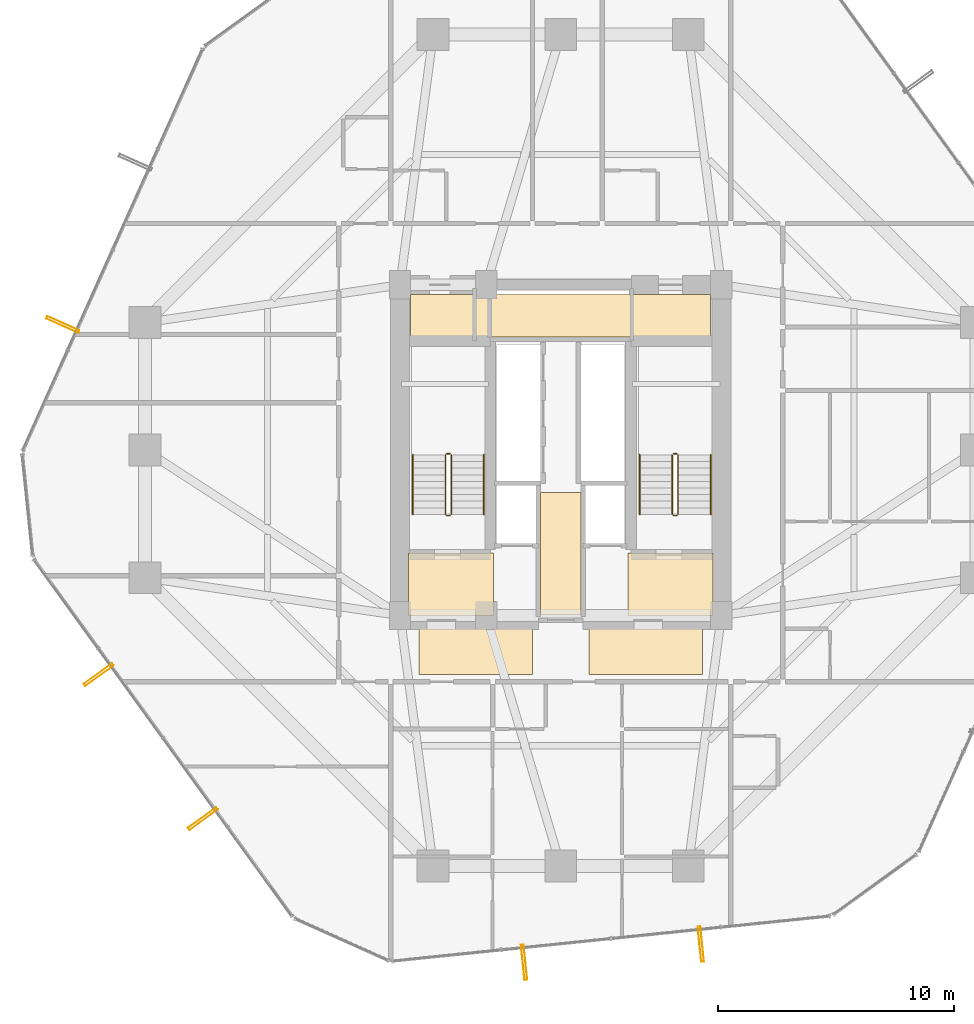
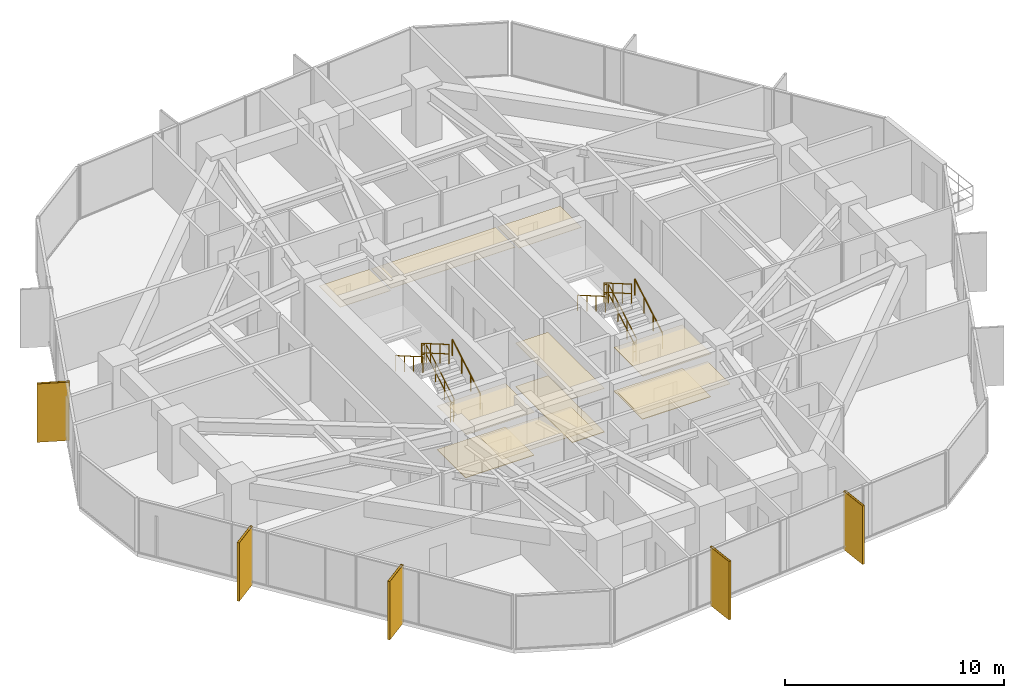
# One storey, part 36 of 37: 12 railings, 11 coverings, 5 shading devices.
"""IFC4 building model written with IfcOpenShell, lengths in metres."""

from ifc_helpers import new_model, si_unit, direction, frame, origin, origin_2d, place, context, subcontext, project, spatial, polyline, hollow_rectangle, circle, outline, extrude, material, layer, layer_set, material_profile, profile_set, type_object, element, save


model = new_model("IFC4")

# Units and contexts
model_context = context("Model", 3, precision=1e-05, world=origin(), true_north=direction((0.0, 1.0)))
body_context = subcontext(model_context, "Body", "Model", "MODEL_VIEW")
ifc_project = project(units=[si_unit("LENGTHUNIT", "METRE"), si_unit("AREAUNIT", "SQUARE_METRE"), si_unit("VOLUMEUNIT", "CUBIC_METRE"), si_unit("PLANEANGLEUNIT", "RADIAN"), si_unit("MASSUNIT", "GRAM", prefix="KILO")], contexts=[model_context])

# Site, building, storey
site_placement = place(None, origin())
site = spatial("IfcSite", under=ifc_project, at=site_placement, CompositionType="ELEMENT")
building_placement = place(site_placement, origin())
building = spatial("IfcBuilding", under=site, at=building_placement, Name="Veraguas Prism Commons", CompositionType="ELEMENT")
storey_placement = place(building_placement, frame((0.0, 0.0, 43.550048828125)))
storey = spatial("IfcBuildingStorey", under=building, at=storey_placement, Name="L11", CompositionType="ELEMENT", Elevation=43.550048828125)

# Shading devices
ifc_material_1 = material(Name="Anodised aluminium EN AW-6063 T6", Category="aluminium")
ifc_material_profile = material_profile(ifc_material_1, hollow_rectangle(XDim=0.1201171875, YDim=1.489990234375, WallThickness=0.006103515625, at=origin_2d()), Name="FIN120X1490X6")
ifc_profile_set = profile_set([ifc_material_profile], Name="Anodised aluminium EN AW-6063 T6")
shading_device_type = type_object("IfcShadingDeviceType", Name="Deep Pale-Metal Vertical Solar Fin 120x1490", PredefinedType="USERDEFINED", material=ifc_profile_set)
for number, where, z_axis, x_axis, name in (
    (1, (2.9228515625, 29.316650390625, -0.22998046875), (0.0, 0.0, 1.0), (-0.408645888839, -0.912693013852, 0.0), "Vertical Pale-Metal Solar Fin L11-F3B"),
    (2, (4.44873046875, 14.499267578125, -0.22998046875), (0.0, 0.0, 1.0), (0.586089563144, -0.810246273656, 0.0), "Vertical Pale-Metal Solar Fin L11-F4A"),
    (3, (8.857177734375, 8.40478515625, -0.22998046875), (0.0, 0.0, 1.0), (0.586089563144, -0.810246273656, 0.0), "Vertical Pale-Metal Solar Fin L11-F4B"),
    (4, (22.452392578125, 2.31787109375, -0.22998046875), (0.0, 0.0, 1.0), (0.994738995475, 0.102441841454, 0.0), "Vertical Pale-Metal Solar Fin L11-F5A"),
    (5, (29.934326171875, 3.08837890625, -0.22998046875), (0.0, 0.0, 1.0), (0.994738995475, 0.102441841454, 0.0), "Vertical Pale-Metal Solar Fin L11-F5B"),
):
    element("IfcShadingDevice", number, at=place(storey_placement, frame(where, z_axis=z_axis, x_axis=x_axis)), inside=storey, type_object=shading_device_type, Name=name, ObjectType="FIN", PredefinedType="USERDEFINED", context=body_context, shape_type="SweptSolid", body=[
        extrude(hollow_rectangle(XDim=0.1201171875, YDim=1.489990234375, WallThickness=0.006103515625, at=origin_2d()), origin(), (0.0, 0.0, 1.0), 3.25),
    ])

# Coverings
ifc_material_2 = material(Name="Acoustic gypsum board")
ifc_layer_1 = layer(ifc_material_2, 0.02490234375, Name="Perforated Acoustic Ceiling Tile 25")
ifc_layer_set_1 = layer_set([ifc_layer_1], Name="Acoustic gypsum board")
covering_type_1 = type_object("IfcCoveringType", Name="Perforated Acoustic Ceiling Tile 25", PredefinedType="USERDEFINED", material=ifc_layer_set_1)
covering_1_placement = place(storey_placement, frame((0.0, 0.0, 2.425048828125)))
element("IfcCovering", 6, at=covering_1_placement, inside=storey, type_object=covering_type_1, Name="East Lobby Acoustic Ceiling L11", ObjectType="ACOUSTIC CEILING", PredefinedType="USERDEFINED", context=body_context, shape_type="SweptSolid", body=[
    extrude(outline(polyline([(26.85009765625, 17.0), (30.449951171875, 17.0), (30.449951171875, 19.64990234375), (26.85009765625, 19.64990234375), (26.85009765625, 17.0)])), origin(), (0.0, 0.0, 1.0), 0.02490234375),
])
ifc_material_3 = material(Name="Terrazzo stone finish", Category="masonry")
ifc_layer_2 = layer(ifc_material_3, 0.030029296875, Name="Polished Terrazzo Floor Finish 30", Category="masonry")
ifc_layer_set_2 = layer_set([ifc_layer_2], Name="Terrazzo stone finish")
covering_type_2 = type_object("IfcCoveringType", Name="Polished Terrazzo Floor Finish 30", PredefinedType="FLOORING", material=ifc_layer_set_2)
covering_2_placement = place(storey_placement, origin())
element("IfcCovering", 7, at=covering_2_placement, inside=storey, type_object=covering_type_2, Name="Terrazzo Lobby Flooring L11", PredefinedType="FLOORING", context=body_context, shape_type="SweptSolid", body=[
    extrude(outline(polyline([(23.14990234375, 17.050048828125), (24.85009765625, 17.050048828125), (24.85009765625, 22.199951171875), (23.14990234375, 22.199951171875), (23.14990234375, 17.050048828125)])), origin(), (0.0, 0.0, 1.0), 0.030029296875),
])
covering_3_placement = place(storey_placement, origin())
element("IfcCovering", 8, at=covering_3_placement, inside=storey, type_object=covering_type_2, Name="West FF Lobby Terrazzo Flooring L11", PredefinedType="FLOORING", context=body_context, shape_type="SweptSolid", body=[
    extrude(outline(polyline([(17.550048828125, 17.050048828125), (21.14990234375, 17.050048828125), (21.14990234375, 19.64990234375), (17.550048828125, 19.64990234375), (17.550048828125, 17.050048828125)])), origin(), (0.0, 0.0, 1.0), 0.030029296875),
])
covering_4_placement = place(storey_placement, origin())
element("IfcCovering", 9, at=covering_4_placement, inside=storey, type_object=covering_type_2, Name="East FF Lobby Terrazzo Flooring L11", PredefinedType="FLOORING", context=body_context, shape_type="SweptSolid", body=[
    extrude(outline(polyline([(26.85009765625, 17.050048828125), (30.449951171875, 17.050048828125), (30.449951171875, 19.64990234375), (26.85009765625, 19.64990234375), (26.85009765625, 17.050048828125)])), origin(), (0.0, 0.0, 1.0), 0.030029296875),
])

# Railings
ifc_material_4 = material(Name="Stainless steel AISI 316", Category="steel")
railing_type_1 = type_object("IfcRailingType", Name="Stair and Ramp Stainless Handrail 900", PredefinedType="HANDRAIL", material=ifc_material_4)
railing_1_placement = place(storey_placement, frame((20.75, 21.280029296875, 0.162353515625)))
element("IfcRailing", 10, at=railing_1_placement, inside=storey, type_object=railing_type_1, Name="Stair Handrail ST-01 L11-1", PredefinedType="HANDRAIL", context=body_context, shape_type="SweptSolid", body=[
    extrude(circle(Radius=0.02392578125, at=origin_2d()), frame((0.0, 0.0, 0.8759765625), z_axis=(0.0, 0.864876961378, 0.501983905795), x_axis=(-1.0, 0.0, 0.0)), (0.0, 0.0, 1.0), 2.913818359375),
    extrude(circle(Radius=0.02099609375, at=origin_2d()), origin(), (0.0, 0.0, 1.0), 0.851806640625),
    extrude(circle(Radius=0.02099609375, at=origin_2d()), frame((0.0, 0.840087890625, 0.487548828125)), (0.0, 0.0, 1.0), 0.851806640625),
    extrude(circle(Radius=0.02099609375, at=origin_2d()), frame((0.0, 1.679931640625, 0.97509765625)), (0.0, 0.0, 1.0), 0.851806640625),
    extrude(circle(Radius=0.02099609375, at=origin_2d()), frame((0.0, 2.52001953125, 1.462646484375)), (0.0, 0.0, 1.0), 0.851806640625),
])
railing_2_placement = place(storey_placement, frame((17.739990234375, 23.800048828125, 1.787353515625)))
element("IfcRailing", 11, at=railing_2_placement, inside=storey, type_object=railing_type_1, Name="Stair Handrail ST-01 L11-2", PredefinedType="HANDRAIL", context=body_context, shape_type="SweptSolid", body=[
    extrude(circle(Radius=0.02392578125, at=origin_2d()), frame((0.0, 0.0, 0.8759765625), z_axis=(0.0, -0.864876961378, 0.501983905795), x_axis=(1.0, 0.0, 0.0)), (0.0, 0.0, 1.0), 2.913818359375),
    extrude(circle(Radius=0.02099609375, at=origin_2d()), origin(), (0.0, 0.0, 1.0), 0.851806640625),
    extrude(circle(Radius=0.02099609375, at=origin_2d()), frame((0.0, -0.840087890625, 0.487548828125)), (0.0, 0.0, 1.0), 0.851806640625),
    extrude(circle(Radius=0.02099609375, at=origin_2d()), frame((0.0, -1.679931640625, 0.97509765625)), (0.0, 0.0, 1.0), 0.851806640625),
    extrude(circle(Radius=0.02099609375, at=origin_2d()), frame((0.0, -2.52001953125, 1.462646484375)), (0.0, 0.0, 1.0), 0.851806640625),
])
railing_3_placement = place(storey_placement, frame((30.35009765625, 21.280029296875, 0.162353515625)))
element("IfcRailing", 12, at=railing_3_placement, inside=storey, type_object=railing_type_1, Name="Stair Handrail ST-02 L11-1", PredefinedType="HANDRAIL", context=body_context, shape_type="SweptSolid", body=[
    extrude(circle(Radius=0.02392578125, at=origin_2d()), frame((0.0, 0.0, 0.8759765625), z_axis=(0.0, 0.864876961378, 0.501983905795), x_axis=(-1.0, 0.0, 0.0)), (0.0, 0.0, 1.0), 2.913818359375),
    extrude(circle(Radius=0.02099609375, at=origin_2d()), origin(), (0.0, 0.0, 1.0), 0.851806640625),
    extrude(circle(Radius=0.02099609375, at=origin_2d()), frame((0.0, 0.840087890625, 0.487548828125)), (0.0, 0.0, 1.0), 0.851806640625),
    extrude(circle(Radius=0.02099609375, at=origin_2d()), frame((0.0, 1.679931640625, 0.97509765625)), (0.0, 0.0, 1.0), 0.851806640625),
    extrude(circle(Radius=0.02099609375, at=origin_2d()), frame((0.0, 2.52001953125, 1.462646484375)), (0.0, 0.0, 1.0), 0.851806640625),
])
railing_4_placement = place(storey_placement, frame((27.340087890625, 23.800048828125, 1.787353515625)))
element("IfcRailing", 13, at=railing_4_placement, inside=storey, type_object=railing_type_1, Name="Stair Handrail ST-02 L11-2", PredefinedType="HANDRAIL", context=body_context, shape_type="SweptSolid", body=[
    extrude(circle(Radius=0.02392578125, at=origin_2d()), frame((0.0, 0.0, 0.8759765625), z_axis=(0.0, -0.864876961378, 0.501983905795), x_axis=(1.0, 0.0, 0.0)), (0.0, 0.0, 1.0), 2.913818359375),
    extrude(circle(Radius=0.02099609375, at=origin_2d()), origin(), (0.0, 0.0, 1.0), 0.851806640625),
    extrude(circle(Radius=0.02099609375, at=origin_2d()), frame((0.0, -0.840087890625, 0.487548828125)), (0.0, 0.0, 1.0), 0.851806640625),
    extrude(circle(Radius=0.02099609375, at=origin_2d()), frame((0.0, -1.679931640625, 0.97509765625)), (0.0, 0.0, 1.0), 0.851806640625),
    extrude(circle(Radius=0.02099609375, at=origin_2d()), frame((0.0, -2.52001953125, 1.462646484375)), (0.0, 0.0, 1.0), 0.851806640625),
])
railing_type_2 = type_object("IfcRailingType", Name="Stairwell Safety Guardrail 1100", PredefinedType="GUARDRAIL", material=ifc_material_4)
railing_5_placement = place(storey_placement, frame((19.3701171875, 21.280029296875, 0.162353515625)))
element("IfcRailing", 14, at=railing_5_placement, inside=storey, type_object=railing_type_2, Name="Stair Guard ST-01 L11-1", PredefinedType="GUARDRAIL", context=body_context, shape_type="SweptSolid", body=[
    extrude(circle(Radius=0.02392578125, at=origin_2d()), frame((0.0, 0.0, 1.076171875), z_axis=(0.0, 0.864876961378, 0.501983905795), x_axis=(-1.0, 0.0, 0.0)), (0.0, 0.0, 1.0), 2.913818359375),
    extrude(circle(Radius=0.02392578125, at=origin_2d()), frame((0.0, 0.0, 0.550048828125), z_axis=(0.0, 0.864876961378, 0.501983905795), x_axis=(-1.0, 0.0, 0.0)), (0.0, 0.0, 1.0), 2.913818359375),
    extrude(circle(Radius=0.02099609375, at=origin_2d()), origin(), (0.0, 0.0, 1.0), 1.052001953125),
    extrude(circle(Radius=0.02099609375, at=origin_2d()), frame((0.0, 0.840087890625, 0.487548828125)), (0.0, 0.0, 1.0), 1.052001953125),
    extrude(circle(Radius=0.02099609375, at=origin_2d()), frame((0.0, 1.679931640625, 0.97509765625)), (0.0, 0.0, 1.0), 1.052001953125),
    extrude(circle(Radius=0.02099609375, at=origin_2d()), frame((0.0, 2.52001953125, 1.462646484375)), (0.0, 0.0, 1.0), 1.052001953125),
])
railing_6_placement = place(storey_placement, frame((19.320068359375, 23.85009765625, 1.625)))
element("IfcRailing", 15, at=railing_6_placement, inside=storey, type_object=railing_type_2, Name="Stair Guard ST-01 L11-2", PredefinedType="GUARDRAIL", context=body_context, shape_type="SweptSolid", body=[
    extrude(circle(Radius=0.02392578125, at=origin_2d()), frame((0.0, 0.0, 1.076171875), z_axis=(-1.0, 0.0, 0.0), x_axis=(0.0, -1.0, 0.0)), (0.0, 0.0, 1.0), 0.150146484375),
    extrude(circle(Radius=0.02392578125, at=origin_2d()), frame((0.0, 0.0, 0.550048828125), z_axis=(-1.0, 0.0, 0.0), x_axis=(0.0, -1.0, 0.0)), (0.0, 0.0, 1.0), 0.150146484375),
    extrude(circle(Radius=0.02099609375, at=origin_2d()), origin(), (0.0, 0.0, 1.0), 1.052001953125),
    extrude(circle(Radius=0.02099609375, at=origin_2d()), frame((-0.150146484375, 0.0, 0.0)), (0.0, 0.0, 1.0), 1.052001953125),
])
railing_7_placement = place(storey_placement, frame((19.1201171875, 23.800048828125, 1.787353515625)))
element("IfcRailing", 16, at=railing_7_placement, inside=storey, type_object=railing_type_2, Name="Stair Guard ST-01 L11-3", PredefinedType="GUARDRAIL", context=body_context, shape_type="SweptSolid", body=[
    extrude(circle(Radius=0.02392578125, at=origin_2d()), frame((0.0, 0.0, 1.076171875), z_axis=(0.0, -0.864876961378, 0.501983905795), x_axis=(1.0, 0.0, 0.0)), (0.0, 0.0, 1.0), 2.913818359375),
    extrude(circle(Radius=0.02392578125, at=origin_2d()), frame((0.0, 0.0, 0.550048828125), z_axis=(0.0, -0.864876961378, 0.501983905795), x_axis=(1.0, 0.0, 0.0)), (0.0, 0.0, 1.0), 2.913818359375),
    extrude(circle(Radius=0.02099609375, at=origin_2d()), origin(), (0.0, 0.0, 1.0), 1.052001953125),
    extrude(circle(Radius=0.02099609375, at=origin_2d()), frame((0.0, -0.840087890625, 0.487548828125)), (0.0, 0.0, 1.0), 1.052001953125),
    extrude(circle(Radius=0.02099609375, at=origin_2d()), frame((0.0, -1.679931640625, 0.97509765625)), (0.0, 0.0, 1.0), 1.052001953125),
    extrude(circle(Radius=0.02099609375, at=origin_2d()), frame((0.0, -2.52001953125, 1.462646484375)), (0.0, 0.0, 1.0), 1.052001953125),
])
railing_8_placement = place(storey_placement, frame((19.320068359375, 21.22998046875, 0.0)))
element("IfcRailing", 17, at=railing_8_placement, inside=storey, type_object=railing_type_2, Name="Stair Guard ST-01 L11-4", PredefinedType="GUARDRAIL", context=body_context, shape_type="SweptSolid", body=[
    extrude(circle(Radius=0.02392578125, at=origin_2d()), frame((0.0, 0.0, 1.076171875), z_axis=(-1.0, 0.0, 0.0), x_axis=(0.0, -1.0, 0.0)), (0.0, 0.0, 1.0), 0.150146484375),
    extrude(circle(Radius=0.02392578125, at=origin_2d()), frame((0.0, 0.0, 0.550048828125), z_axis=(-1.0, 0.0, 0.0), x_axis=(0.0, -1.0, 0.0)), (0.0, 0.0, 1.0), 0.150146484375),
    extrude(circle(Radius=0.02099609375, at=origin_2d()), origin(), (0.0, 0.0, 1.0), 1.052001953125),
    extrude(circle(Radius=0.02099609375, at=origin_2d()), frame((-0.150146484375, 0.0, 0.0)), (0.0, 0.0, 1.0), 1.052001953125),
])
railing_9_placement = place(storey_placement, frame((28.969970703125, 21.280029296875, 0.162353515625)))
element("IfcRailing", 18, at=railing_9_placement, inside=storey, type_object=railing_type_2, Name="Stair Guard ST-02 L11-1", PredefinedType="GUARDRAIL", context=body_context, shape_type="SweptSolid", body=[
    extrude(circle(Radius=0.02392578125, at=origin_2d()), frame((0.0, 0.0, 1.076171875), z_axis=(0.0, 0.864876961378, 0.501983905795), x_axis=(-1.0, 0.0, 0.0)), (0.0, 0.0, 1.0), 2.913818359375),
    extrude(circle(Radius=0.02392578125, at=origin_2d()), frame((0.0, 0.0, 0.550048828125), z_axis=(0.0, 0.864876961378, 0.501983905795), x_axis=(-1.0, 0.0, 0.0)), (0.0, 0.0, 1.0), 2.913818359375),
    extrude(circle(Radius=0.02099609375, at=origin_2d()), origin(), (0.0, 0.0, 1.0), 1.052001953125),
    extrude(circle(Radius=0.02099609375, at=origin_2d()), frame((0.0, 0.840087890625, 0.487548828125)), (0.0, 0.0, 1.0), 1.052001953125),
    extrude(circle(Radius=0.02099609375, at=origin_2d()), frame((0.0, 1.679931640625, 0.97509765625)), (0.0, 0.0, 1.0), 1.052001953125),
    extrude(circle(Radius=0.02099609375, at=origin_2d()), frame((0.0, 2.52001953125, 1.462646484375)), (0.0, 0.0, 1.0), 1.052001953125),
])
railing_10_placement = place(storey_placement, frame((28.919921875, 23.85009765625, 1.625)))
element("IfcRailing", 19, at=railing_10_placement, inside=storey, type_object=railing_type_2, Name="Stair Guard ST-02 L11-2", PredefinedType="GUARDRAIL", context=body_context, shape_type="SweptSolid", body=[
    extrude(circle(Radius=0.02392578125, at=origin_2d()), frame((0.0, 0.0, 1.076171875), z_axis=(-1.0, 0.0, 0.0), x_axis=(0.0, -1.0, 0.0)), (0.0, 0.0, 1.0), 0.14990234375),
    extrude(circle(Radius=0.02392578125, at=origin_2d()), frame((0.0, 0.0, 0.550048828125), z_axis=(-1.0, 0.0, 0.0), x_axis=(0.0, -1.0, 0.0)), (0.0, 0.0, 1.0), 0.14990234375),
    extrude(circle(Radius=0.02099609375, at=origin_2d()), origin(), (0.0, 0.0, 1.0), 1.052001953125),
    extrude(circle(Radius=0.02099609375, at=origin_2d()), frame((-0.14990234375, 0.0, 0.0)), (0.0, 0.0, 1.0), 1.052001953125),
])
railing_11_placement = place(storey_placement, frame((28.719970703125, 23.800048828125, 1.787353515625)))
element("IfcRailing", 20, at=railing_11_placement, inside=storey, type_object=railing_type_2, Name="Stair Guard ST-02 L11-3", PredefinedType="GUARDRAIL", context=body_context, shape_type="SweptSolid", body=[
    extrude(circle(Radius=0.02392578125, at=origin_2d()), frame((0.0, 0.0, 1.076171875), z_axis=(0.0, -0.864876961378, 0.501983905795), x_axis=(1.0, 0.0, 0.0)), (0.0, 0.0, 1.0), 2.913818359375),
    extrude(circle(Radius=0.02392578125, at=origin_2d()), frame((0.0, 0.0, 0.550048828125), z_axis=(0.0, -0.864876961378, 0.501983905795), x_axis=(1.0, 0.0, 0.0)), (0.0, 0.0, 1.0), 2.913818359375),
    extrude(circle(Radius=0.02099609375, at=origin_2d()), origin(), (0.0, 0.0, 1.0), 1.052001953125),
    extrude(circle(Radius=0.02099609375, at=origin_2d()), frame((0.0, -0.840087890625, 0.487548828125)), (0.0, 0.0, 1.0), 1.052001953125),
    extrude(circle(Radius=0.02099609375, at=origin_2d()), frame((0.0, -1.679931640625, 0.97509765625)), (0.0, 0.0, 1.0), 1.052001953125),
    extrude(circle(Radius=0.02099609375, at=origin_2d()), frame((0.0, -2.52001953125, 1.462646484375)), (0.0, 0.0, 1.0), 1.052001953125),
])
railing_12_placement = place(storey_placement, frame((28.919921875, 21.22998046875, 0.0)))
element("IfcRailing", 21, at=railing_12_placement, inside=storey, type_object=railing_type_2, Name="Stair Guard ST-02 L11-4", PredefinedType="GUARDRAIL", context=body_context, shape_type="SweptSolid", body=[
    extrude(circle(Radius=0.02392578125, at=origin_2d()), frame((0.0, 0.0, 1.076171875), z_axis=(-1.0, 0.0, 0.0), x_axis=(0.0, -1.0, 0.0)), (0.0, 0.0, 1.0), 0.14990234375),
    extrude(circle(Radius=0.02392578125, at=origin_2d()), frame((0.0, 0.0, 0.550048828125), z_axis=(-1.0, 0.0, 0.0), x_axis=(0.0, -1.0, 0.0)), (0.0, 0.0, 1.0), 0.14990234375),
    extrude(circle(Radius=0.02099609375, at=origin_2d()), origin(), (0.0, 0.0, 1.0), 1.052001953125),
    extrude(circle(Radius=0.02099609375, at=origin_2d()), frame((-0.14990234375, 0.0, 0.0)), (0.0, 0.0, 1.0), 1.052001953125),
])

# Coverings
ifc_layer_3 = layer(ifc_material_2, 0.02001953125, Name="Suspended Gypsum Ceiling 20")
ifc_layer_set_3 = layer_set([ifc_layer_3], Name="Acoustic gypsum board")
covering_type_3 = type_object("IfcCoveringType", Name="Suspended Gypsum Ceiling 20", PredefinedType="CEILING", material=ifc_layer_set_3)
covering_5_placement = place(storey_placement, frame((0.0, 0.0, 2.429931640625)))
element("IfcCovering", 22, at=covering_5_placement, inside=storey, type_object=covering_type_3, Name="West Lobby Suspended Gypsum Ceiling L11", PredefinedType="CEILING", context=body_context, shape_type="SweptSolid", body=[
    extrude(outline(polyline([(17.550048828125, 17.0), (21.14990234375, 17.0), (21.14990234375, 19.64990234375), (17.550048828125, 19.64990234375), (17.550048828125, 17.0)])), origin(), (0.0, 0.0, 1.0), 0.02001953125),
])
covering_6_placement = place(storey_placement, frame((0.0, 0.0, 2.429931640625)))
element("IfcCovering", 23, at=covering_6_placement, inside=storey, type_object=covering_type_3, Name="Core Lobby Acoustic Ceiling L11-1", PredefinedType="CEILING", context=body_context, shape_type="SweptSolid", body=[
    extrude(outline(polyline([(18.0, 14.5), (22.800048828125, 14.5), (22.800048828125, 16.550048828125), (18.0, 16.550048828125), (18.0, 14.5)])), origin(), (0.0, 0.0, 1.0), 0.02001953125),
])
covering_7_placement = place(storey_placement, frame((0.0, 0.0, 2.429931640625)))
element("IfcCovering", 24, at=covering_7_placement, inside=storey, type_object=covering_type_3, Name="Core Lobby Acoustic Ceiling L11-2", PredefinedType="CEILING", context=body_context, shape_type="SweptSolid", body=[
    extrude(outline(polyline([(25.199951171875, 14.5), (30.0, 14.5), (30.0, 16.550048828125), (25.199951171875, 16.550048828125), (25.199951171875, 14.5)])), origin(), (0.0, 0.0, 1.0), 0.02001953125),
])
covering_8_placement = place(storey_placement, frame((0.0, 0.0, 2.429931640625)))
element("IfcCovering", 25, at=covering_8_placement, inside=storey, type_object=covering_type_3, Name="Core Lobby Acoustic Ceiling L11-3", PredefinedType="CEILING", context=body_context, shape_type="SweptSolid", body=[
    extrude(outline(polyline([(23.14990234375, 17.050048828125), (24.85009765625, 17.050048828125), (24.85009765625, 22.199951171875), (23.14990234375, 22.199951171875), (23.14990234375, 17.050048828125)])), origin(), (0.0, 0.0, 1.0), 0.02001953125),
])
covering_9_placement = place(storey_placement, frame((0.0, 0.0, 2.429931640625)))
element("IfcCovering", 26, at=covering_9_placement, inside=storey, type_object=covering_type_3, Name="Core Lobby Acoustic Ceiling L11-4", PredefinedType="CEILING", context=body_context, shape_type="SweptSolid", body=[
    extrude(outline(polyline([(17.64990234375, 28.64990234375), (20.300048828125, 28.64990234375), (20.300048828125, 30.60009765625), (17.64990234375, 30.60009765625), (17.64990234375, 28.64990234375)])), origin(), (0.0, 0.0, 1.0), 0.02001953125),
])
covering_10_placement = place(storey_placement, frame((0.0, 0.0, 2.429931640625)))
element("IfcCovering", 27, at=covering_10_placement, inside=storey, type_object=covering_type_3, Name="Core Lobby Acoustic Ceiling L11-5", PredefinedType="CEILING", context=body_context, shape_type="SweptSolid", body=[
    extrude(outline(polyline([(27.050048828125, 28.64990234375), (30.35009765625, 28.64990234375), (30.35009765625, 30.60009765625), (27.050048828125, 30.60009765625), (27.050048828125, 28.64990234375)])), origin(), (0.0, 0.0, 1.0), 0.02001953125),
])
covering_11_placement = place(storey_placement, frame((0.0, 0.0, 2.429931640625)))
element("IfcCovering", 28, at=covering_11_placement, inside=storey, type_object=covering_type_3, Name="Core Lobby Acoustic Ceiling L11-6", PredefinedType="CEILING", context=body_context, shape_type="SweptSolid", body=[
    extrude(outline(polyline([(20.39990234375, 28.800048828125), (26.949951171875, 28.800048828125), (26.949951171875, 30.60009765625), (20.39990234375, 30.60009765625), (20.39990234375, 28.800048828125)])), origin(), (0.0, 0.0, 1.0), 0.02001953125),
])

save(model, "model.ifc")
